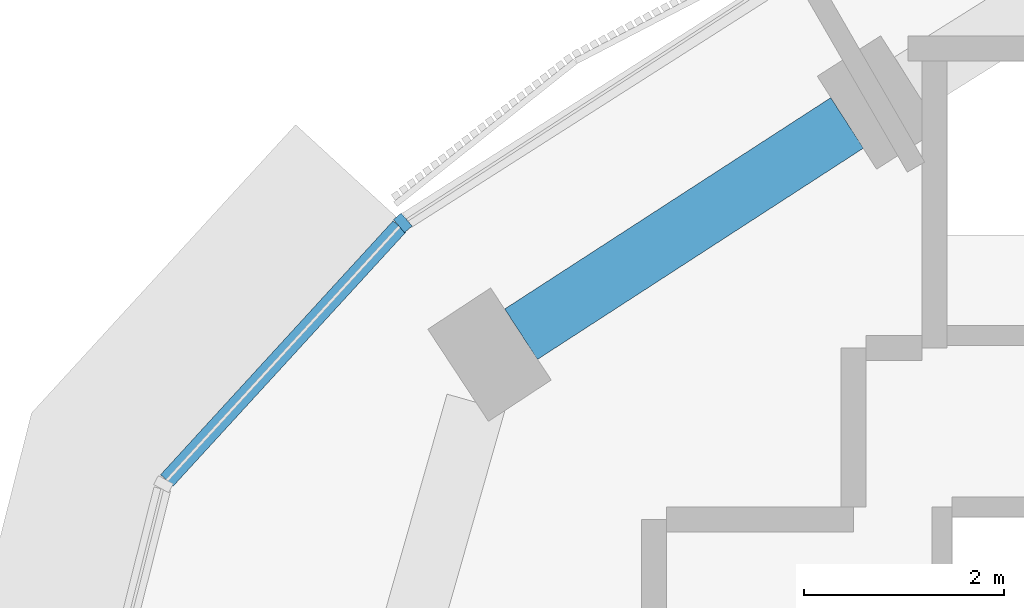
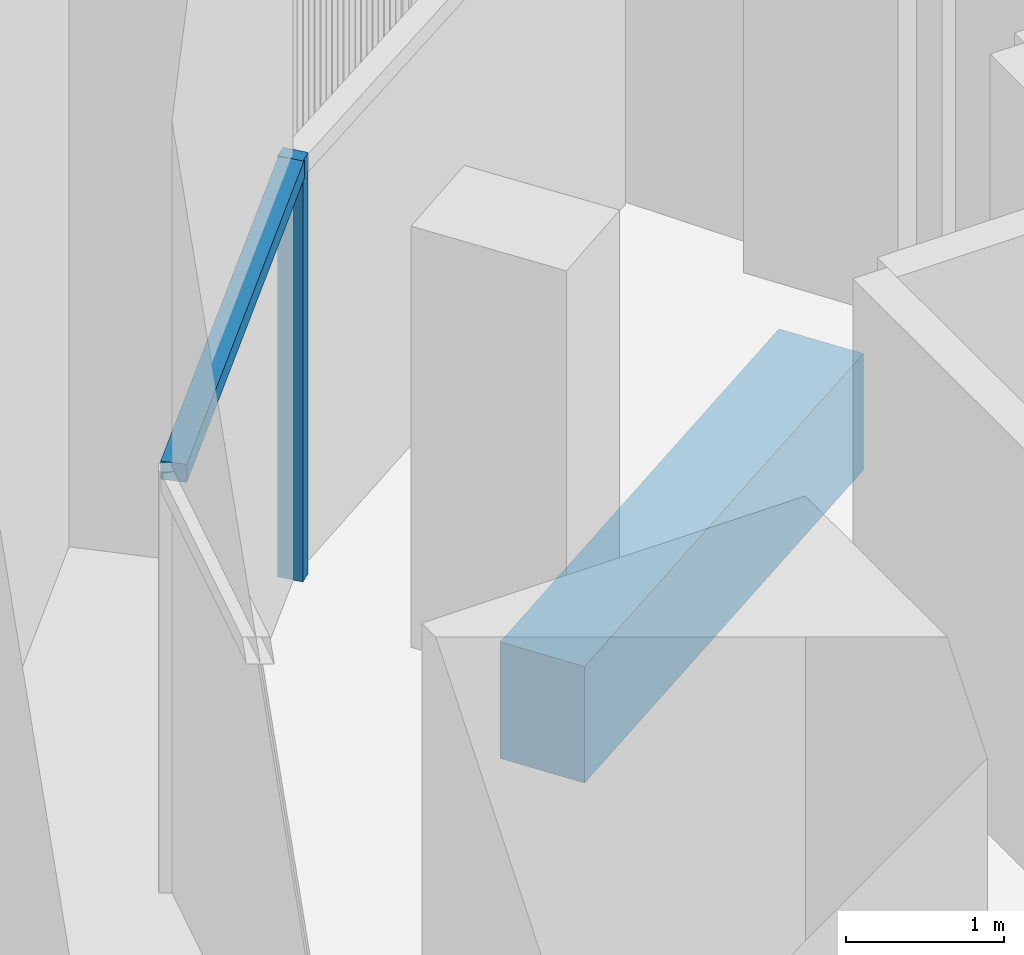
# One storey, part 3 of 14: 2 members, 1 beam, 1 element without a shape of its own.
"""IFC4 building model written with IfcOpenShell, lengths in metres."""

from ifc_helpers import new_model, si_unit, direction, frame, origin, origin_2d, place, context, subcontext, project, spatial, rectangle, extrude, material, material_profile, profile_set, type_object, element, aggregate, save


model = new_model("IFC4")

# Units and contexts
model_context = context("Model", 3, precision=1e-05, world=origin(), true_north=direction((0.0, 1.0)))
body_context = subcontext(model_context, "Body", "Model", "MODEL_VIEW")
ifc_project = project(units=[si_unit("LENGTHUNIT", "METRE"), si_unit("AREAUNIT", "SQUARE_METRE"), si_unit("VOLUMEUNIT", "CUBIC_METRE"), si_unit("PLANEANGLEUNIT", "RADIAN"), si_unit("MASSUNIT", "GRAM", prefix="KILO")], contexts=[model_context])

# Site, building, storey
site_placement = place(None, origin())
site = spatial("IfcSite", under=ifc_project, at=site_placement, CompositionType="ELEMENT")
building_placement = place(site_placement, origin())
building = spatial("IfcBuilding", under=site, at=building_placement, Name="Tamra Quay Hotel Tower", CompositionType="ELEMENT")
storey_placement = place(building_placement, frame((0.0, 0.0, 221.39990234375)))
storey = spatial("IfcBuildingStorey", under=building, at=storey_placement, Name="L55", CompositionType="ELEMENT", Elevation=221.39990234375)

# Curtain wall, member
ifc_material_1 = material(Name="Aluminium 6063 anodised dark grey", Category="aluminium")
curtain_wall_type = type_object("IfcCurtainWallType", Name="CW2 CURTAIN WALL", PredefinedType="NOTDEFINED", material=ifc_material_1)
curtain_wall_placement = place(storey_placement, origin())
curtain_wall = element("IfcCurtainWall", 1, at=curtain_wall_placement, inside=storey, type_object=curtain_wall_type, Name="CW2 north-west face L55", PredefinedType="NOTDEFINED")
ifc_material_profile_1 = material_profile(ifc_material_1, rectangle(XDim=0.169921875, YDim=0.10009765625, at=origin_2d()), Name="MULLION 100X170")
ifc_profile_set_1 = profile_set([ifc_material_profile_1], Name="Aluminium 6063 anodised dark grey")
member_type_1 = type_object("IfcMemberType", Name="MULLION CW2 Z5", PredefinedType="MULLION", material=ifc_profile_set_1)
member_1_placement = place(storey_placement, frame((-24.941650390625, 6.034423828125, 0.0), z_axis=(0.0, 0.0, 1.0), x_axis=(-0.645846473255, 0.763467309702, 0.0)))
member_1 = element("IfcMember", 2, at=member_1_placement, type_object=member_type_1, Name="CW2 mullion L55.NW.9", PredefinedType="MULLION", context=body_context, shape_type="SweptSolid", body=[
    extrude(rectangle(XDim=0.169921875, YDim=0.10009765625, at=origin_2d()), origin(), (0.0, 0.0, 1.0), 3.25),
])

# Beam
ifc_material_2 = material(Name="Concrete M60", Category="concrete")
ifc_material_profile_2 = material_profile(ifc_material_2, rectangle(XDim=0.60009765625, YDim=0.89990234375, at=origin_2d()), Name="SPANDREL BEAM RC 600x900")
ifc_profile_set_2 = profile_set([ifc_material_profile_2], Name="Concrete M60")
beam_type = type_object("IfcBeamType", Name="SPANDREL BEAM RC 600x900", PredefinedType="SPANDREL", material=ifc_profile_set_2)
beam_placement = place(storey_placement, frame((-20.509521484375, 7.03125, -0.7998046875), z_axis=(-0.839181205466, -0.543851914029, 0.0), x_axis=(0.543851914029, -0.839181205466, 0.0)))
element("IfcBeam", 3, at=beam_placement, inside=storey, type_object=beam_type, Name="BM-SP5-017-L55", PredefinedType="SPANDREL", context=body_context, shape_type="SweptSolid", body=[
    extrude(rectangle(XDim=0.60009765625, YDim=0.89990234375, at=origin_2d()), origin(), (0.0, 0.0, 1.0), 3.87548828125),
])

# Member
ifc_material_profile_3 = material_profile(ifc_material_1, rectangle(XDim=0.169921875, YDim=0.139892578125, at=origin_2d()), Name="TRANSOM 170X140")
ifc_profile_set_3 = profile_set([ifc_material_profile_3], Name="Aluminium 6063 anodised dark grey")
member_type_2 = type_object("IfcMemberType", Name="TRANSOM CW2 Z5", PredefinedType="USERDEFINED", material=ifc_profile_set_3)
member_2_placement = place(storey_placement, frame((-24.975341796875, 5.99755859375, 3.18017578125), z_axis=(-0.675476773907, -0.737381263603, 0.0), x_axis=(0.737381263603, -0.675476773907, 0.0)))
member_2 = element("IfcMember", 4, at=member_2_placement, type_object=member_type_2, Name="CW2 transom L55.NW.9", ObjectType="TRANSOM", PredefinedType="USERDEFINED", context=body_context, shape_type="SweptSolid", body=[
    extrude(rectangle(XDim=0.169921875, YDim=0.139892578125, at=origin_2d()), origin(), (0.0, 0.0, 1.0), 3.43505859375),
])

aggregate(curtain_wall, [member_1, member_2])

save(model, "model.ifc")
